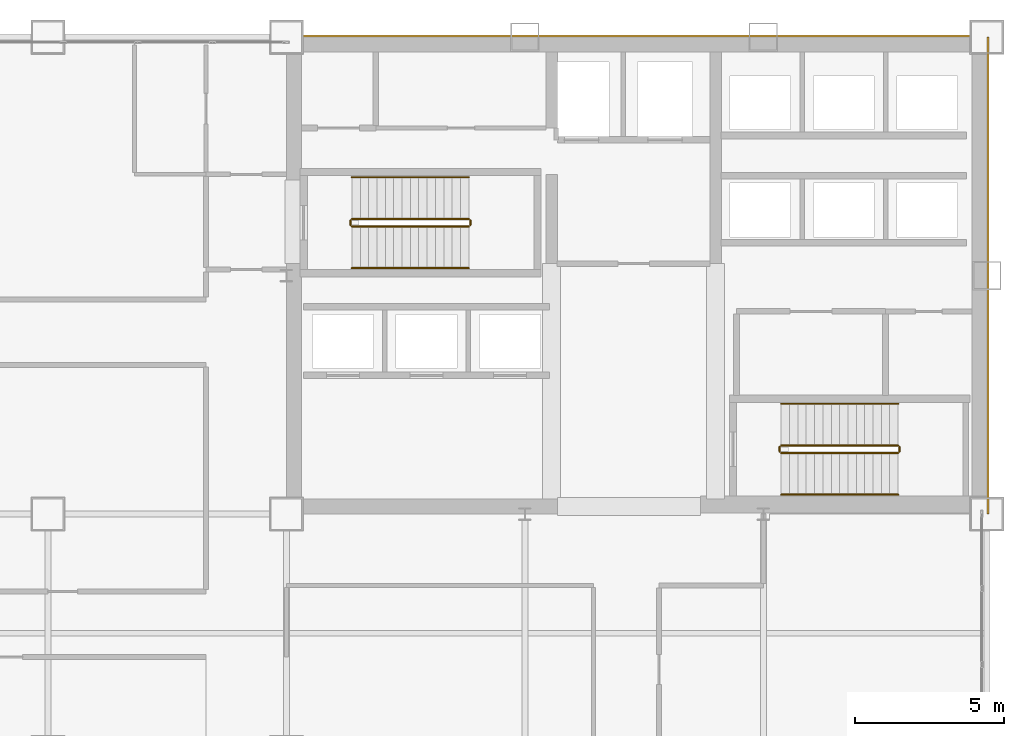
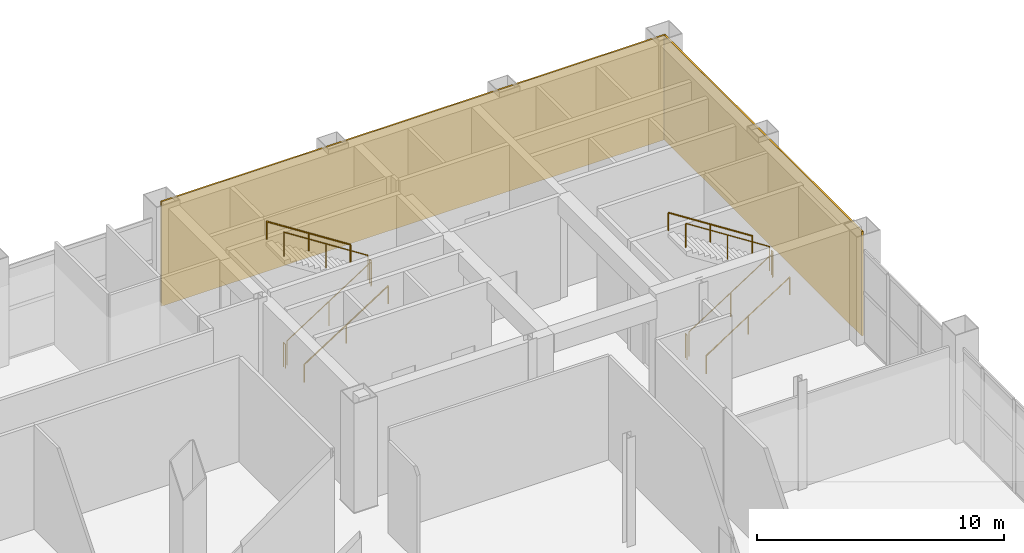
# One storey, part 22 of 22: 12 railings, 2 coverings.
"""IFC4 building model written with IfcOpenShell, lengths in metres."""

from ifc_helpers import new_model, si_unit, direction, frame, origin, origin_2d, place, context, subcontext, project, spatial, rectangle, circle, extrude, material, layer, layer_set, type_object, element, save


model = new_model("IFC4")

# Units and contexts
model_context = context("Model", 3, precision=1e-05, world=origin(), true_north=direction((0.0, 1.0)))
body_context = subcontext(model_context, "Body", "Model", "MODEL_VIEW")
ifc_project = project(units=[si_unit("LENGTHUNIT", "METRE"), si_unit("AREAUNIT", "SQUARE_METRE"), si_unit("VOLUMEUNIT", "CUBIC_METRE"), si_unit("PLANEANGLEUNIT", "RADIAN"), si_unit("MASSUNIT", "GRAM", prefix="KILO")], contexts=[model_context])

# Site, building, storey
site_placement = place(None, origin())
site = spatial("IfcSite", under=ifc_project, at=site_placement, CompositionType="ELEMENT")
building_placement = place(site_placement, origin())
building = spatial("IfcBuilding", under=site, at=building_placement, Name="Qianrong Seaharbour Tower", CompositionType="ELEMENT")
storey_placement = place(building_placement, frame((0.0, 0.0, 113.60009765625)))
storey = spatial("IfcBuildingStorey", under=building, at=storey_placement, Name="L27", CompositionType="ELEMENT", Elevation=113.60009765625)

# Coverings
ifc_material_1 = material(Name="Unitised red brick cladding on Precast concrete C45/55", Category="masonry")
ifc_layer = layer(ifc_material_1, 0.080078125)
ifc_layer_set = layer_set([ifc_layer], Name="Unitised red brick cladding on Precast concrete C45/55")
covering_type = type_object("IfcCoveringType", Name="COV-CLAD-RED-BRICK-80", PredefinedType="CLADDING", material=ifc_layer_set)
covering_1_placement = place(storey_placement, frame((52.2900390625, 52.0400390625, 0.0), z_axis=(0.0, 0.0, 1.0), x_axis=(1.0, 0.0, 0.0)))
element("IfcCovering", 1, at=covering_1_placement, inside=storey, type_object=covering_type, Name="L27 North Core Brick Veneer Cladding", PredefinedType="CLADDING", context=body_context, shape_type="SweptSolid", body=[
    extrude(rectangle(XDim=23.580078125, YDim=0.080078125, at=origin_2d()), origin(), (0.0, 0.0, 1.0), 5.1650390625),
])
covering_2_placement = place(storey_placement, frame((64.0400390625, 44.0, 0.0), z_axis=(0.0, 0.0, 1.0), x_axis=(1.0, 0.0, 0.0)))
element("IfcCovering", 2, at=covering_2_placement, inside=storey, type_object=covering_type, Name="L27 East Core Brick Veneer Cladding", PredefinedType="CLADDING", context=body_context, shape_type="SweptSolid", body=[
    extrude(rectangle(XDim=0.080078125, YDim=16.0, at=origin_2d()), origin(), (0.0, 0.0, 1.0), 5.1650390625),
])

# Railings
ifc_material_2 = material(Name="Galvanized painted steel SN400B stair guard", Category="steel")
railing_type_1 = type_object("IfcRailingType", Name="RAIL-STAIR-GUARD-1220", PredefinedType="GUARDRAIL", material=ifc_material_2)
railing_1_placement = place(storey_placement, frame((42.699951171875, 45.64990234375, 0.179931640625)))
element("IfcRailing", 3, at=railing_1_placement, inside=storey, type_object=railing_type_1, Name="L27 ST-1 stair guard 1", PredefinedType="GUARDRAIL", context=body_context, shape_type="SweptSolid", body=[
    extrude(circle(Radius=0.02392578125, at=origin_2d()), frame((0.0, 0.0, 1.19580078125), z_axis=(0.841186985886, 0.0, 0.540744352514), x_axis=(0.0, 1.0, 0.0)), (0.0, 0.0, 1.0), 4.660400390625),
    extrude(circle(Radius=0.02099609375, at=origin_2d()), origin(), (0.0, 0.0, 1.0), 1.171875),
    extrude(circle(Radius=0.02099609375, at=origin_2d()), frame((1.9599609375, 0.0, 1.260009765625)), (0.0, 0.0, 1.0), 1.171875),
    extrude(circle(Radius=0.02099609375, at=origin_2d()), frame((3.920166015625, 0.0, 2.52001953125)), (0.0, 0.0, 1.0), 1.171875),
])
railing_2_placement = place(storey_placement, frame((46.669921875, 45.699951171875, 2.699951171875)))
element("IfcRailing", 4, at=railing_2_placement, inside=storey, type_object=railing_type_1, Name="L27 ST-1 stair guard 2", PredefinedType="GUARDRAIL", context=body_context, shape_type="SweptSolid", body=[
    extrude(circle(Radius=0.02392578125, at=origin_2d()), frame((0.0, 0.0, 1.19580078125), z_axis=(0.0, 1.0, 0.0), x_axis=(-1.0, 0.0, 0.0)), (0.0, 0.0, 1.0), 0.150146484375),
    extrude(circle(Radius=0.02099609375, at=origin_2d()), origin(), (0.0, 0.0, 1.0), 1.171875),
    extrude(circle(Radius=0.02099609375, at=origin_2d()), frame((0.0, 0.150146484375, 0.0)), (0.0, 0.0, 1.0), 1.171875),
])
railing_3_placement = place(storey_placement, frame((46.6201171875, 45.89990234375, 2.8798828125)))
element("IfcRailing", 5, at=railing_3_placement, inside=storey, type_object=railing_type_1, Name="L27 ST-1 stair guard 3", PredefinedType="GUARDRAIL", context=body_context, shape_type="SweptSolid", body=[
    extrude(circle(Radius=0.02392578125, at=origin_2d()), frame((0.0, 0.0, 1.19580078125), z_axis=(-0.841186985886, 0.0, 0.540744352514), x_axis=(0.0, -1.0, 0.0)), (0.0, 0.0, 1.0), 4.660400390625),
    extrude(circle(Radius=0.02099609375, at=origin_2d()), origin(), (0.0, 0.0, 1.0), 1.171875),
    extrude(circle(Radius=0.02099609375, at=origin_2d()), frame((-1.9599609375, 0.0, 1.260009765625)), (0.0, 0.0, 1.0), 1.171875),
    extrude(circle(Radius=0.02099609375, at=origin_2d()), frame((-3.920166015625, 0.0, 2.52001953125)), (0.0, 0.0, 1.0), 1.171875),
])
railing_4_placement = place(storey_placement, frame((42.64990234375, 45.699951171875, 0.0)))
element("IfcRailing", 6, at=railing_4_placement, inside=storey, type_object=railing_type_1, Name="L27 ST-1 stair guard 4", PredefinedType="GUARDRAIL", context=body_context, shape_type="SweptSolid", body=[
    extrude(circle(Radius=0.02392578125, at=origin_2d()), frame((0.0, 0.0, 1.19580078125), z_axis=(0.0, 1.0, 0.0), x_axis=(-1.0, 0.0, 0.0)), (0.0, 0.0, 1.0), 0.150146484375),
    extrude(circle(Radius=0.02099609375, at=origin_2d()), origin(), (0.0, 0.0, 1.0), 1.171875),
    extrude(circle(Radius=0.02099609375, at=origin_2d()), frame((0.0, 0.150146484375, 0.0)), (0.0, 0.0, 1.0), 1.171875),
])
railing_5_placement = place(storey_placement, frame((57.10009765625, 38.050048828125, 0.179931640625)))
element("IfcRailing", 7, at=railing_5_placement, inside=storey, type_object=railing_type_1, Name="L27 ST-2 stair guard 1", PredefinedType="GUARDRAIL", context=body_context, shape_type="SweptSolid", body=[
    extrude(circle(Radius=0.02392578125, at=origin_2d()), frame((0.0, 0.0, 1.19580078125), z_axis=(0.841171666519, 0.0, 0.540768182723), x_axis=(0.0, 1.0, 0.0)), (0.0, 0.0, 1.0), 4.66015625),
    extrude(circle(Radius=0.02099609375, at=origin_2d()), origin(), (0.0, 0.0, 1.0), 1.171875),
    extrude(circle(Radius=0.02099609375, at=origin_2d()), frame((1.9599609375, 0.0, 1.260009765625)), (0.0, 0.0, 1.0), 1.171875),
    extrude(circle(Radius=0.02099609375, at=origin_2d()), frame((3.919921875, 0.0, 2.52001953125)), (0.0, 0.0, 1.0), 1.171875),
])
railing_6_placement = place(storey_placement, frame((61.070068359375, 38.10009765625, 2.699951171875)))
element("IfcRailing", 8, at=railing_6_placement, inside=storey, type_object=railing_type_1, Name="L27 ST-2 stair guard 2", PredefinedType="GUARDRAIL", context=body_context, shape_type="SweptSolid", body=[
    extrude(circle(Radius=0.02392578125, at=origin_2d()), frame((0.0, 0.0, 1.19580078125), z_axis=(0.0, 1.0, 0.0), x_axis=(-1.0, 0.0, 0.0)), (0.0, 0.0, 1.0), 0.14990234375),
    extrude(circle(Radius=0.02099609375, at=origin_2d()), origin(), (0.0, 0.0, 1.0), 1.171875),
    extrude(circle(Radius=0.02099609375, at=origin_2d()), frame((0.0, 0.14990234375, 0.0)), (0.0, 0.0, 1.0), 1.171875),
])
railing_7_placement = place(storey_placement, frame((61.02001953125, 38.300048828125, 2.8798828125)))
element("IfcRailing", 9, at=railing_7_placement, inside=storey, type_object=railing_type_1, Name="L27 ST-2 stair guard 3", PredefinedType="GUARDRAIL", context=body_context, shape_type="SweptSolid", body=[
    extrude(circle(Radius=0.02392578125, at=origin_2d()), frame((0.0, 0.0, 1.19580078125), z_axis=(-0.841171666519, 0.0, 0.540768182723), x_axis=(0.0, -1.0, 0.0)), (0.0, 0.0, 1.0), 4.66015625),
    extrude(circle(Radius=0.02099609375, at=origin_2d()), origin(), (0.0, 0.0, 1.0), 1.171875),
    extrude(circle(Radius=0.02099609375, at=origin_2d()), frame((-1.9599609375, 0.0, 1.260009765625)), (0.0, 0.0, 1.0), 1.171875),
    extrude(circle(Radius=0.02099609375, at=origin_2d()), frame((-3.919921875, 0.0, 2.52001953125)), (0.0, 0.0, 1.0), 1.171875),
])
railing_8_placement = place(storey_placement, frame((57.050048828125, 38.10009765625, 0.0)))
element("IfcRailing", 10, at=railing_8_placement, inside=storey, type_object=railing_type_1, Name="L27 ST-2 stair guard 4", PredefinedType="GUARDRAIL", context=body_context, shape_type="SweptSolid", body=[
    extrude(circle(Radius=0.02392578125, at=origin_2d()), frame((0.0, 0.0, 1.19580078125), z_axis=(0.0, 1.0, 0.0), x_axis=(-1.0, 0.0, 0.0)), (0.0, 0.0, 1.0), 0.14990234375),
    extrude(circle(Radius=0.02099609375, at=origin_2d()), origin(), (0.0, 0.0, 1.0), 1.171875),
    extrude(circle(Radius=0.02099609375, at=origin_2d()), frame((0.0, 0.14990234375, 0.0)), (0.0, 0.0, 1.0), 1.171875),
])
ifc_material_3 = material(Name="Stainless steel SUS316L continuous handrail", Category="steel")
railing_type_2 = type_object("IfcRailingType", Name="RAIL-STAIR-HANDRAIL-900", PredefinedType="HANDRAIL", material=ifc_material_3)
railing_9_placement = place(storey_placement, frame((42.699951171875, 44.25, 0.179931640625)))
element("IfcRailing", 11, at=railing_9_placement, inside=storey, type_object=railing_type_2, Name="L27 ST-1 stair handrail 1", PredefinedType="HANDRAIL", context=body_context, shape_type="SweptSolid", body=[
    extrude(circle(Radius=0.02392578125, at=origin_2d()), frame((0.0, 0.0, 0.8759765625), z_axis=(0.841186985886, 0.0, 0.540744352514), x_axis=(0.0, 1.0, 0.0)), (0.0, 0.0, 1.0), 4.660400390625),
    extrude(circle(Radius=0.02099609375, at=origin_2d()), origin(), (0.0, 0.0, 1.0), 0.851806640625),
    extrude(circle(Radius=0.02099609375, at=origin_2d()), frame((1.9599609375, 0.0, 1.260009765625)), (0.0, 0.0, 1.0), 0.851806640625),
    extrude(circle(Radius=0.02099609375, at=origin_2d()), frame((3.920166015625, 0.0, 2.52001953125)), (0.0, 0.0, 1.0), 0.851806640625),
])
railing_10_placement = place(storey_placement, frame((46.6201171875, 47.300048828125, 2.8798828125)))
element("IfcRailing", 12, at=railing_10_placement, inside=storey, type_object=railing_type_2, Name="L27 ST-1 stair handrail 2", PredefinedType="HANDRAIL", context=body_context, shape_type="SweptSolid", body=[
    extrude(circle(Radius=0.02392578125, at=origin_2d()), frame((0.0, 0.0, 0.8759765625), z_axis=(-0.841186985886, 0.0, 0.540744352514), x_axis=(0.0, -1.0, 0.0)), (0.0, 0.0, 1.0), 4.660400390625),
    extrude(circle(Radius=0.02099609375, at=origin_2d()), origin(), (0.0, 0.0, 1.0), 0.851806640625),
    extrude(circle(Radius=0.02099609375, at=origin_2d()), frame((-1.9599609375, 0.0, 1.260009765625)), (0.0, 0.0, 1.0), 0.851806640625),
    extrude(circle(Radius=0.02099609375, at=origin_2d()), frame((-3.920166015625, 0.0, 2.52001953125)), (0.0, 0.0, 1.0), 0.851806640625),
])
railing_11_placement = place(storey_placement, frame((57.10009765625, 36.64990234375, 0.179931640625)))
element("IfcRailing", 13, at=railing_11_placement, inside=storey, type_object=railing_type_2, Name="L27 ST-2 stair handrail 1", PredefinedType="HANDRAIL", context=body_context, shape_type="SweptSolid", body=[
    extrude(circle(Radius=0.02392578125, at=origin_2d()), frame((0.0, 0.0, 0.8759765625), z_axis=(0.841171666519, 0.0, 0.540768182723), x_axis=(0.0, 1.0, 0.0)), (0.0, 0.0, 1.0), 4.66015625),
    extrude(circle(Radius=0.02099609375, at=origin_2d()), origin(), (0.0, 0.0, 1.0), 0.851806640625),
    extrude(circle(Radius=0.02099609375, at=origin_2d()), frame((1.9599609375, 0.0, 1.260009765625)), (0.0, 0.0, 1.0), 0.851806640625),
    extrude(circle(Radius=0.02099609375, at=origin_2d()), frame((3.919921875, 0.0, 2.52001953125)), (0.0, 0.0, 1.0), 0.851806640625),
])
railing_12_placement = place(storey_placement, frame((61.02001953125, 39.699951171875, 2.8798828125)))
element("IfcRailing", 14, at=railing_12_placement, inside=storey, type_object=railing_type_2, Name="L27 ST-2 stair handrail 2", PredefinedType="HANDRAIL", context=body_context, shape_type="SweptSolid", body=[
    extrude(circle(Radius=0.02392578125, at=origin_2d()), frame((0.0, 0.0, 0.8759765625), z_axis=(-0.841171666519, 0.0, 0.540768182723), x_axis=(0.0, -1.0, 0.0)), (0.0, 0.0, 1.0), 4.66015625),
    extrude(circle(Radius=0.02099609375, at=origin_2d()), origin(), (0.0, 0.0, 1.0), 0.851806640625),
    extrude(circle(Radius=0.02099609375, at=origin_2d()), frame((-1.9599609375, 0.0, 1.260009765625)), (0.0, 0.0, 1.0), 0.851806640625),
    extrude(circle(Radius=0.02099609375, at=origin_2d()), frame((-3.919921875, 0.0, 2.52001953125)), (0.0, 0.0, 1.0), 0.851806640625),
])

save(model, "model.ifc")
